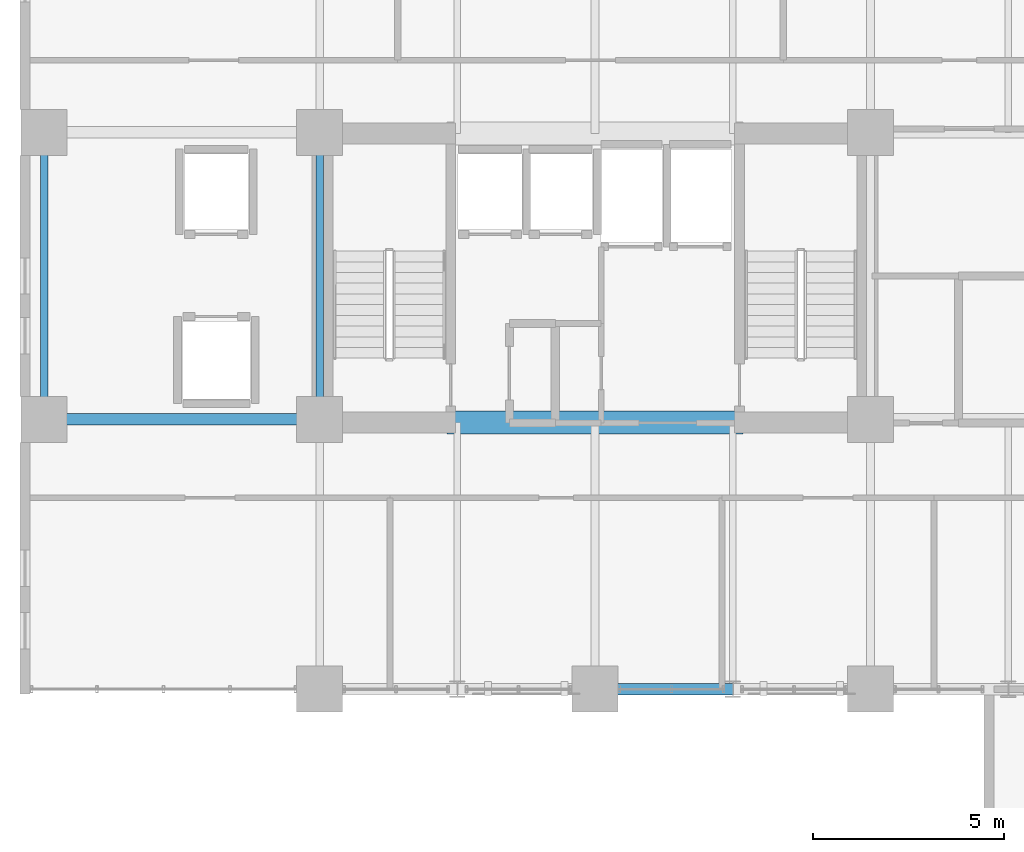
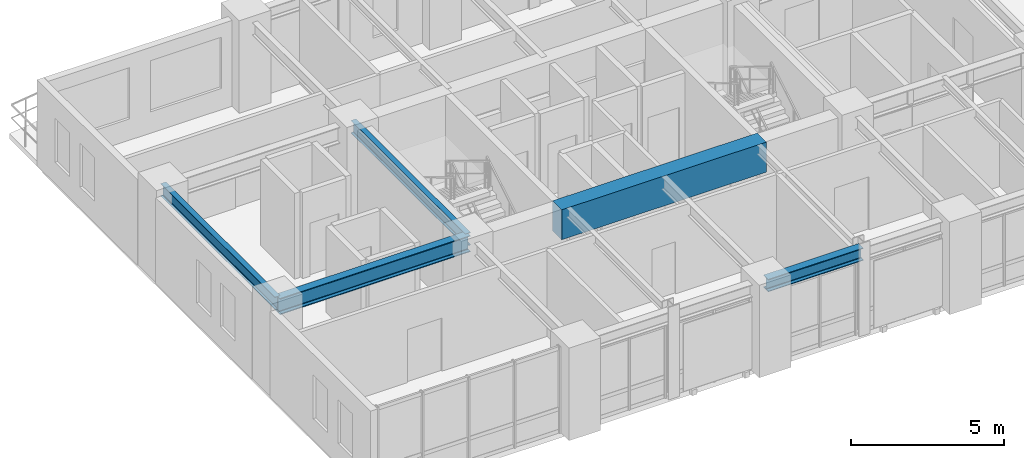
# One storey, part 4 of 16: 5 beams.
"""IFC4 building model written with IfcOpenShell, lengths in metres."""

from ifc_helpers import new_model, si_unit, direction, frame, origin, origin_2d, place, context, subcontext, project, spatial, rectangle, i_section, extrude, source, transform, mapped, material, material_profile, profile_set, type_object, element, save


model = new_model("IFC4")

# Units and contexts
model_context = context("Model", 3, precision=1e-05, world=origin(), true_north=direction((0.0, 1.0)))
body_context = subcontext(model_context, "Body", "Model", "MODEL_VIEW")
ifc_project = project(units=[si_unit("LENGTHUNIT", "METRE"), si_unit("AREAUNIT", "SQUARE_METRE"), si_unit("VOLUMEUNIT", "CUBIC_METRE"), si_unit("PLANEANGLEUNIT", "RADIAN"), si_unit("MASSUNIT", "GRAM", prefix="KILO")], contexts=[model_context])

# Site, building, storey
site_placement = place(None, origin())
site = spatial("IfcSite", under=ifc_project, at=site_placement, CompositionType="ELEMENT")
building_placement = place(site_placement, origin())
building = spatial("IfcBuilding", under=site, at=building_placement, Name="Kaliganga Portal Commons", CompositionType="ELEMENT")
storey_placement = place(building_placement, frame((0.0, 0.0, 82.300048828125)))
storey = spatial("IfcBuildingStorey", under=building, at=storey_placement, Name="L20", CompositionType="ELEMENT", Elevation=82.300048828125)

# Beams
ifc_material_1 = material(Name="Concrete C60/75", Category="concrete")
ifc_material_profile_1 = material_profile(ifc_material_1, rectangle(XDim=0.60009765625, YDim=1.199951171875, at=origin_2d()), Name="RC 600x1200")
ifc_profile_set_1 = profile_set([ifc_material_profile_1], Name="Concrete C60/75")
beam_type_1 = type_object("IfcBeamType", Name="BM-CPL-1200", PredefinedType="LINTEL", material=ifc_profile_set_1)
shared_shape_1 = source(origin(), body_context, "Body", "SweptSolid", [
    extrude(rectangle(XDim=0.60009765625, YDim=1.199951171875, at=origin_2d()), origin(), (0.0, 0.0, 1.0), 7.739990234375),
])
beam_1_placement = place(storey_placement, frame((17.72998046875, 28.574951171875, 2.849853515625), z_axis=(1.0, 0.0, 0.0), x_axis=(0.0, 1.0, 0.0)))
element("IfcBeam", 1, at=beam_1_placement, inside=storey, type_object=beam_type_1, Name="BM CPL COREA L20 S", PredefinedType="LINTEL", context=body_context, shape_type="MappedRepresentation", body=[
    mapped(shared_shape_1, transform((0.0, 0.0, 0.0), x_axis=(1.0, 0.0, 0.0), y_axis=(0.0, 1.0, 0.0), z_axis=(0.0, 0.0, 1.0), scale=1.0)),
])
ifc_material_2 = material(Name="Structural steel S355J2", Category="steel")
ifc_material_profile_2 = material_profile(ifc_material_2, i_section(OverallWidth=0.300048828125, OverallDepth=0.5, WebThickness=0.014404296875, FlangeThickness=0.028076171875, FilletRadius=0.027099609375, at=origin_2d()), Name="HE 500 B")
ifc_profile_set_2 = profile_set([ifc_material_profile_2], Name="Structural steel S355J2 wide-flange")
beam_type_2 = type_object("IfcBeamType", Name="BM-SPAND-500", PredefinedType="SPANDREL", material=ifc_profile_set_2)
shared_shape_2 = source(origin(), body_context, "Body", "SweptSolid", [
    extrude(i_section(OverallWidth=0.300048828125, OverallDepth=0.5, WebThickness=0.014404296875, FlangeThickness=0.028076171875, FilletRadius=0.027099609375, at=origin_2d()), origin(), (0.0, 0.0, 1.0), 3.599853515625),
])
beam_2_placement = place(storey_placement, frame((21.60009765625, 21.60009765625, 3.199951171875), z_axis=(1.0, 0.0, 0.0), x_axis=(0.0, 1.0, 0.0)))
element("IfcBeam", 2, at=beam_2_placement, inside=storey, type_object=beam_type_2, Name="BM SP L20 AS 3", PredefinedType="SPANDREL", context=body_context, shape_type="MappedRepresentation", body=[
    mapped(shared_shape_2, transform((0.0, 0.0, 0.0), x_axis=(1.0, 0.0, 0.0), y_axis=(0.0, 1.0, 0.0), z_axis=(0.0, 0.0, 1.0), scale=1.0)),
])
ifc_material_profile_3 = material_profile(ifc_material_2, i_section(OverallWidth=0.300048828125, OverallDepth=0.64990234375, WebThickness=0.01611328125, FlangeThickness=0.031005859375, FilletRadius=0.027099609375, at=origin_2d()), Name="HE 650 B")
ifc_profile_set_3 = profile_set([ifc_material_profile_3], Name="Structural steel S355J2 wide-flange")
beam_type_3 = type_object("IfcBeamType", Name="BM-GIRD-650", PredefinedType="USERDEFINED", material=ifc_profile_set_3)
shared_shape_3 = source(origin(), body_context, "Body", "SweptSolid", [
    extrude(i_section(OverallWidth=0.300048828125, OverallDepth=0.64990234375, WebThickness=0.01611328125, FlangeThickness=0.031005859375, FilletRadius=0.027099609375, at=origin_2d()), origin(), (0.0, 0.0, 1.0), 7.199951171875),
])
beam_3_placement = place(storey_placement, frame((7.199951171875, 28.64990234375, 3.125), z_axis=(1.0, 0.0, 0.0), x_axis=(0.0, 1.0, 0.0)))
element("IfcBeam", 3, at=beam_3_placement, inside=storey, type_object=beam_type_3, Name="BM G L20 WAH_S 1", ObjectType="GIRDER", PredefinedType="USERDEFINED", context=body_context, shape_type="MappedRepresentation", body=[
    mapped(shared_shape_3, transform((0.0, 0.0, 0.0), x_axis=(1.0, 0.0, 0.0), y_axis=(0.0, 1.0, 0.0), z_axis=(0.0, 0.0, 1.0), scale=1.0)),
])
ifc_material_profile_4 = material_profile(ifc_material_2, i_section(OverallWidth=0.199951171875, OverallDepth=0.5, WebThickness=0.01025390625, FlangeThickness=0.01611328125, FilletRadius=0.02099609375, at=origin_2d()), Name="IPE 500")
ifc_profile_set_4 = profile_set([ifc_material_profile_4], Name="Structural steel S355J2 wide-flange")
beam_type_4 = type_object("IfcBeamType", Name="BM-FLR-500", PredefinedType="BEAM", material=ifc_profile_set_4)
shared_shape_4 = source(origin(), body_context, "Body", "SweptSolid", [
    extrude(i_section(OverallWidth=0.199951171875, OverallDepth=0.5, WebThickness=0.01025390625, FlangeThickness=0.01611328125, FilletRadius=0.02099609375, at=origin_2d()), origin(), (0.0, 0.0, 1.0), 7.5),
])
for number, where, z_axis, x_axis, name in (
    (4, (7.199951171875, 28.64990234375, 3.199951171875), (0.0, 1.0, 0.0), (-1.0, 0.0, 0.0), "BM G L20 AW72"),
    (5, (14.39990234375, 28.64990234375, 3.199951171875), (0.0, 1.0, 0.0), (-1.0, 0.0, 0.0), "BM G L20 AM144"),
):
    element("IfcBeam", number, at=place(storey_placement, frame(where, z_axis=z_axis, x_axis=x_axis)), inside=storey, type_object=beam_type_4, Name=name, PredefinedType="BEAM", context=body_context, shape_type="MappedRepresentation", body=[
        mapped(shared_shape_4, transform((0.0, 0.0, 0.0), x_axis=(1.0, 0.0, 0.0), y_axis=(0.0, 1.0, 0.0), z_axis=(0.0, 0.0, 1.0), scale=1.0)),
    ])

save(model, "model.ifc")
